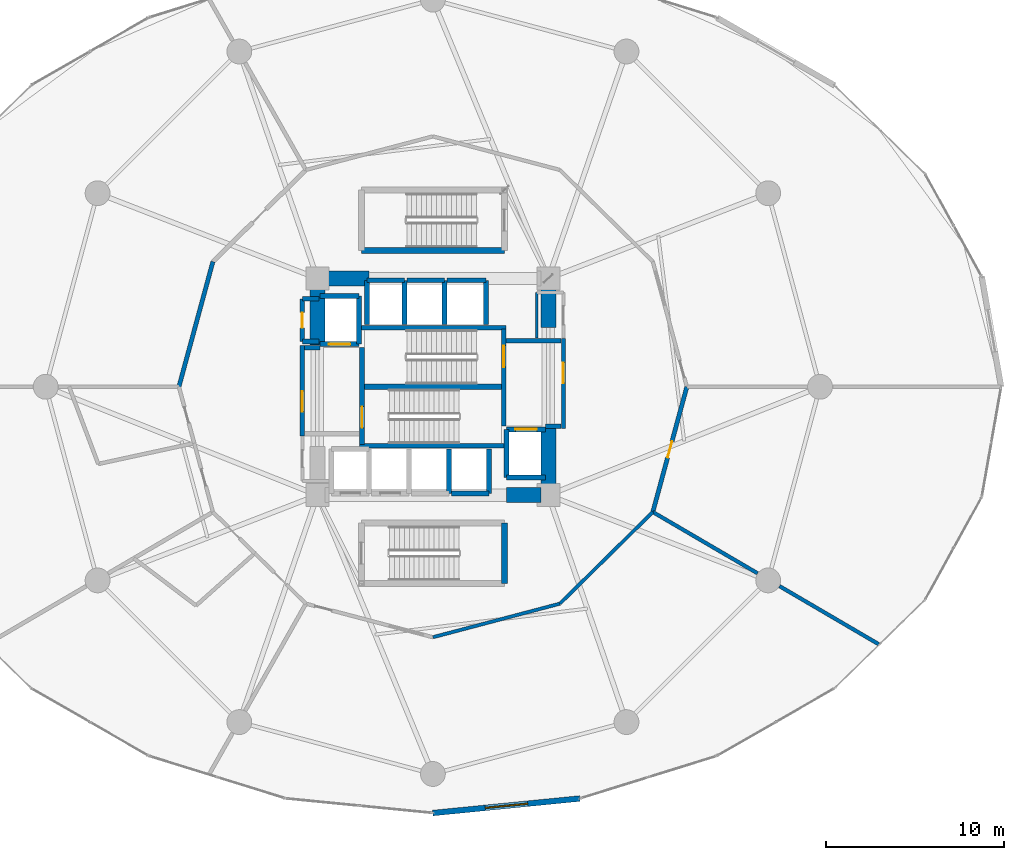
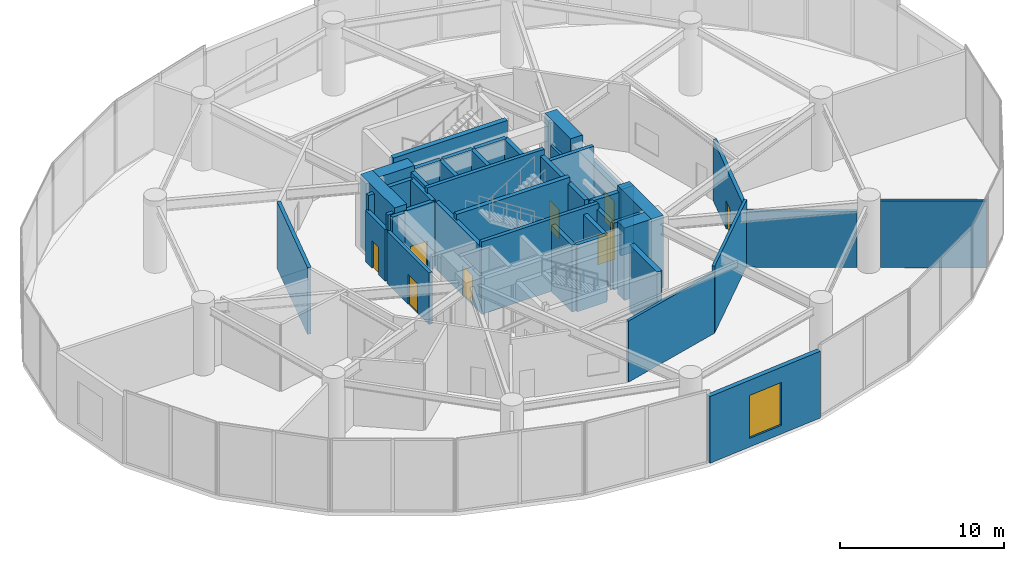
# One storey, part 24 of 29: 44 walls, 8 doors, 1 window, 9 openings.
"""IFC4 building model written with IfcOpenShell, lengths in metres."""

from ifc_helpers import new_model, si_unit, direction, frame, frame_2d, origin, place, context, subcontext, project, spatial, rectangle, extrude, material, layer, layer_set, type_object, element, fill, save


model = new_model("IFC4")

# Units and contexts
model_context = context("Model", 3, precision=1e-05, world=origin(), true_north=direction((0.0, 1.0)))
body_context = subcontext(model_context, "Body", "Model", "MODEL_VIEW")
ifc_project = project(units=[si_unit("LENGTHUNIT", "METRE"), si_unit("AREAUNIT", "SQUARE_METRE"), si_unit("VOLUMEUNIT", "CUBIC_METRE"), si_unit("PLANEANGLEUNIT", "RADIAN"), si_unit("MASSUNIT", "GRAM", prefix="KILO")], contexts=[model_context])

# Site, building, storey
site_placement = place(None, origin())
site = spatial("IfcSite", under=ifc_project, at=site_placement, CompositionType="ELEMENT")
building_placement = place(site_placement, origin())
building = spatial("IfcBuilding", under=site, at=building_placement, Name="Solvirekh Grand Hotel", CompositionType="ELEMENT")
storey_placement = place(building_placement, frame((0.0, 0.0, 7.199951171875)))
storey = spatial("IfcBuildingStorey", under=building, at=storey_placement, Name="L01", CompositionType="ELEMENT", Elevation=7.199951171875)

# Walls
ifc_material_1 = material(Name="Concrete C50/60", Category="concrete")
ifc_layer_1 = layer(ifc_material_1, 0.35009765625)
ifc_layer_set_1 = layer_set([ifc_layer_1], Name="Concrete C50/60")
wall_type_1 = type_object("IfcWallType", Name="CoreDivWall_RC350", PredefinedType="SOLIDWALL", material=ifc_layer_set_1)
for number, where, z_axis, x_axis, name in (
    (1, (-4.1298828125, -3.324951171875, 0.0), (0.0, 0.0, 1.0), (1.0, 0.0, 0.0), "L01 core stair box wall ST-S"),
    (2, (-4.1298828125, 3.324951171875, 0.0), (0.0, 0.0, 1.0), (1.0, 0.0, 0.0), "L01 core stair box wall ST-N"),
):
    element("IfcWall", number, at=place(storey_placement, frame(where, z_axis=z_axis, x_axis=x_axis)), inside=storey, type_object=wall_type_1, Name=name, PredefinedType="SOLIDWALL", context=body_context, shape_type="SweptSolid", body=[
        extrude(rectangle(XDim=8.259765625, YDim=0.25, at=frame_2d((4.1298828125, 0.0))), origin(), (0.0, 0.0, 1.0), 5.400146484375),
    ])
wall_1_placement = place(storey_placement, frame((4.02490234375, -11.074951171875, 0.0), z_axis=(0.0, 0.0, 1.0), x_axis=(0.0, 1.0, 0.0)))
element("IfcWall", 3, at=wall_1_placement, inside=storey, type_object=wall_type_1, Name="L01 podium stair ST-3 E enclosure wall", PredefinedType="SOLIDWALL", context=body_context, shape_type="SweptSolid", body=[
    extrude(rectangle(XDim=3.39990234375, YDim=0.35009765625, at=frame_2d((1.699951171875, 0.0))), origin(), (0.0, 0.0, 1.0), 4.97998046875),
])
wall_2_placement = place(storey_placement, frame((-4.02490234375, 7.675048828125, 0.0), z_axis=(0.0, 0.0, 1.0), x_axis=(1.0, 0.0, 0.0)))
element("IfcWall", 4, at=wall_2_placement, inside=storey, type_object=wall_type_1, Name="L01 feature stair ST-4 S enclosure wall", PredefinedType="SOLIDWALL", context=body_context, shape_type="SweptSolid", body=[
    extrude(rectangle(XDim=8.0498046875, YDim=0.35009765625, at=frame_2d((4.02490234375, 0.0))), origin(), (0.0, 0.0, 1.0), 4.97998046875),
])
ifc_material_2 = material(Name="Concrete C40/50", Category="concrete")
ifc_layer_2 = layer(ifc_material_2, 0.280029296875)
ifc_layer_set_2 = layer_set([ifc_layer_2], Name="Concrete C40/50")
wall_type_2 = type_object("IfcWallType", Name="CoreShaftWall_RC280", PredefinedType="SOLIDWALL", material=ifc_layer_set_2)
wall_3_placement = place(storey_placement, frame((0.89990234375, -6.0, 0.0), z_axis=(0.0, 0.0, 1.0), x_axis=(0.0, 1.0, 0.0)))
element("IfcWall", 5, at=wall_3_placement, inside=storey, type_object=wall_type_2, Name="L01 MP-1 hoistway E wall", PredefinedType="SOLIDWALL", context=body_context, shape_type="SweptSolid", body=[
    extrude(rectangle(XDim=2.5, YDim=0.280029296875, at=frame_2d((1.25, 0.0))), origin(), (0.0, 0.0, 1.0), 4.97998046875),
])
wall_4_placement = place(storey_placement, frame((1.050048828125, -6.0, 0.0), z_axis=(0.0, 0.0, 1.0), x_axis=(1.0, 0.0, 0.0)))
element("IfcWall", 6, at=wall_4_placement, inside=storey, type_object=wall_type_2, Name="L01 MP-2 hoistway S wall", PredefinedType="SOLIDWALL", context=body_context, shape_type="SweptSolid", body=[
    extrude(rectangle(XDim=2.099853515625, YDim=0.280029296875, at=frame_2d((1.0498046875, 0.0))), origin(), (0.0, 0.0, 1.0), 4.97998046875),
])
wall_5_placement = place(storey_placement, frame((3.14990234375, -6.0, 0.0), z_axis=(0.0, 0.0, 1.0), x_axis=(0.0, 1.0, 0.0)))
element("IfcWall", 7, at=wall_5_placement, inside=storey, type_object=wall_type_2, Name="L01 MP-2 hoistway E wall", PredefinedType="SOLIDWALL", context=body_context, shape_type="SweptSolid", body=[
    extrude(rectangle(XDim=2.5, YDim=0.280029296875, at=frame_2d((1.25, 0.0))), origin(), (0.0, 0.0, 1.0), 4.97998046875),
])
wall_6_placement = place(storey_placement, frame((-1.60009765625, 6.0, 0.0), z_axis=(0.0, 0.0, 1.0), x_axis=(-1.0, 0.0, 0.0)))
element("IfcWall", 8, at=wall_6_placement, inside=storey, type_object=wall_type_2, Name="L01 HP-1 hoistway N wall", PredefinedType="SOLIDWALL", context=body_context, shape_type="SweptSolid", body=[
    extrude(rectangle(XDim=2.099853515625, YDim=0.280029296875, at=frame_2d((1.0498046875, 0.0))), origin(), (0.0, 0.0, 1.0), 4.97998046875),
])
for number, where, z_axis, x_axis, name in (
    (9, (-3.699951171875, 6.0, 0.0), (0.0, 0.0, 1.0), (0.0, -1.0, 0.0), "L01 HP-1 hoistway W wall"),
    (10, (-1.60009765625, 3.5, 0.0), (0.0, 0.0, 1.0), (0.0, 1.0, 0.0), "L01 HP-1 hoistway E wall"),
):
    element("IfcWall", number, at=place(storey_placement, frame(where, z_axis=z_axis, x_axis=x_axis)), inside=storey, type_object=wall_type_2, Name=name, PredefinedType="SOLIDWALL", context=body_context, shape_type="SweptSolid", body=[
        extrude(rectangle(XDim=2.5, YDim=0.280029296875, at=frame_2d((1.25, 0.0))), origin(), (0.0, 0.0, 1.0), 4.97998046875),
    ])
wall_7_placement = place(storey_placement, frame((0.64990234375, 6.0, 0.0), z_axis=(0.0, 0.0, 1.0), x_axis=(-1.0, 0.0, 0.0)))
element("IfcWall", 11, at=wall_7_placement, inside=storey, type_object=wall_type_2, Name="L01 HP-2 hoistway N wall", PredefinedType="SOLIDWALL", context=body_context, shape_type="SweptSolid", body=[
    extrude(rectangle(XDim=2.099853515625, YDim=0.280029296875, at=frame_2d((1.0498046875, 0.0))), origin(), (0.0, 0.0, 1.0), 4.97998046875),
])
wall_8_placement = place(storey_placement, frame((0.64990234375, 3.5, 0.0), z_axis=(0.0, 0.0, 1.0), x_axis=(0.0, 1.0, 0.0)))
element("IfcWall", 12, at=wall_8_placement, inside=storey, type_object=wall_type_2, Name="L01 HP-2 hoistway E wall", PredefinedType="SOLIDWALL", context=body_context, shape_type="SweptSolid", body=[
    extrude(rectangle(XDim=2.5, YDim=0.280029296875, at=frame_2d((1.25, 0.0))), origin(), (0.0, 0.0, 1.0), 4.97998046875),
])
wall_9_placement = place(storey_placement, frame((3.0, 6.0, 0.0), z_axis=(0.0, 0.0, 1.0), x_axis=(-1.0, 0.0, 0.0)))
element("IfcWall", 13, at=wall_9_placement, inside=storey, type_object=wall_type_2, Name="L01 EX-1 hoistway N wall", PredefinedType="SOLIDWALL", context=body_context, shape_type="SweptSolid", body=[
    extrude(rectangle(XDim=2.199951171875, YDim=0.280029296875, at=frame_2d((1.10009765625, 0.0))), origin(), (0.0, 0.0, 1.0), 4.97998046875),
])
wall_10_placement = place(storey_placement, frame((3.0, 3.5, 0.0), z_axis=(0.0, 0.0, 1.0), x_axis=(0.0, 1.0, 0.0)))
element("IfcWall", 14, at=wall_10_placement, inside=storey, type_object=wall_type_2, Name="L01 EX-1 hoistway E wall", PredefinedType="SOLIDWALL", context=body_context, shape_type="SweptSolid", body=[
    extrude(rectangle(XDim=2.5, YDim=0.280029296875, at=frame_2d((1.25, 0.0))), origin(), (0.0, 0.0, 1.0), 4.97998046875),
])

# Wall, opening, door
wall_11_placement = place(storey_placement, frame((-6.35009765625, 2.39990234375, 0.0), z_axis=(0.0, 0.0, 1.0), x_axis=(1.0, 0.0, 0.0)))
wall_11 = element("IfcWall", 15, at=wall_11_placement, inside=storey, type_object=wall_type_2, Name="L01 FL-1 hoistway S wall", PredefinedType="SOLIDWALL", context=body_context, shape_type="SweptSolid", body=[
    extrude(rectangle(XDim=2.2001953125, YDim=0.280029296875, at=frame_2d((1.10009765625, 0.0))), origin(), (0.0, 0.0, 1.0), 4.97998046875),
])
opening_1_placement = place(wall_11_placement, frame((0.5, 0.0, 0.0)))
opening_1 = element("IfcOpeningElement", 16, at=opening_1_placement, cuts=wall_11, Name="Opening LD02", PredefinedType="OPENING", context=body_context, shape_type="SweptSolid", body=[
    extrude(rectangle(XDim=1.199951171875, YDim=2.199951171875, at=frame_2d((0.60009765625, 1.10009765625))), frame((0.0, 0.14990234375, 0.0), z_axis=(0.0, -1.0, 0.0), x_axis=(1.0, 0.0, 0.0)), (0.0, 0.0, 1.0), 0.300048828125),
])
ifc_material_3 = material(Name="Fire-Rated Steel Door Assembly", Category="steel")
door_type_1 = type_object("IfcDoorType", Name="Door_LiftFF_1200X2200", OperationType="SLIDING_TO_LEFT", PredefinedType="DOOR", material=ifc_material_3)
door_1_placement = place(opening_1_placement, origin())
door_1 = element("IfcDoor", 17, at=door_1_placement, inside=storey, type_object=door_type_1, Name="L01 FL-1 sliding lift landing door", OperationType="SLIDING_TO_LEFT", OverallHeight=2.199951171875, OverallWidth=1.199951171875, PredefinedType="DOOR", context=body_context, shape_type="SweptSolid", body=[
    extrude(rectangle(XDim=1.199951171875, YDim=2.199951171875, at=frame_2d((0.60009765625, 1.10009765625))), frame((0.0, 0.02490234375, 0.0), z_axis=(0.0, -1.0, 0.0), x_axis=(1.0, 0.0, 0.0)), (0.0, 0.0, 1.0), 0.050048828125),
])
fill(opening_1, door_1)

# Walls
wall_12_placement = place(storey_placement, frame((-4.14990234375, 5.10009765625, 0.0), z_axis=(0.0, 0.0, 1.0), x_axis=(-1.0, 0.0, 0.0)))
element("IfcWall", 18, at=wall_12_placement, inside=storey, type_object=wall_type_2, Name="L01 FL-1 hoistway N wall", PredefinedType="SOLIDWALL", context=body_context, shape_type="SweptSolid", body=[
    extrude(rectangle(XDim=2.2001953125, YDim=0.280029296875, at=frame_2d((1.10009765625, 0.0))), origin(), (0.0, 0.0, 1.0), 4.97998046875),
])
wall_13_placement = place(storey_placement, frame((-4.14990234375, 2.39990234375, 0.0), z_axis=(0.0, 0.0, 1.0), x_axis=(0.0, 1.0, 0.0)))
element("IfcWall", 19, at=wall_13_placement, inside=storey, type_object=wall_type_2, Name="L01 FL-1 hoistway E wall", PredefinedType="SOLIDWALL", context=body_context, shape_type="SweptSolid", body=[
    extrude(rectangle(XDim=2.7001953125, YDim=0.280029296875, at=frame_2d((1.35009765625, 0.0))), origin(), (0.0, 0.0, 1.0), 4.97998046875),
])
wall_14_placement = place(storey_placement, frame((4.14990234375, -5.10009765625, 0.0), z_axis=(0.0, 0.0, 1.0), x_axis=(1.0, 0.0, 0.0)))
element("IfcWall", 20, at=wall_14_placement, inside=storey, type_object=wall_type_2, Name="L01 FL-2 hoistway S wall", PredefinedType="SOLIDWALL", context=body_context, shape_type="SweptSolid", body=[
    extrude(rectangle(XDim=2.2001953125, YDim=0.280029296875, at=frame_2d((1.10009765625, 0.0))), origin(), (0.0, 0.0, 1.0), 4.97998046875),
])

# Wall, opening, door
wall_15_placement = place(storey_placement, frame((6.35009765625, -2.39990234375, 0.0), z_axis=(0.0, 0.0, 1.0), x_axis=(-1.0, 0.0, 0.0)))
wall_15 = element("IfcWall", 21, at=wall_15_placement, inside=storey, type_object=wall_type_2, Name="L01 FL-2 hoistway N wall", PredefinedType="SOLIDWALL", context=body_context, shape_type="SweptSolid", body=[
    extrude(rectangle(XDim=2.2001953125, YDim=0.280029296875, at=frame_2d((1.10009765625, 0.0))), origin(), (0.0, 0.0, 1.0), 4.97998046875),
])
opening_2_placement = place(wall_15_placement, frame((0.5, 0.0, 0.0)))
opening_2 = element("IfcOpeningElement", 22, at=opening_2_placement, cuts=wall_15, Name="Opening LD02", PredefinedType="OPENING", context=body_context, shape_type="SweptSolid", body=[
    extrude(rectangle(XDim=1.199951171875, YDim=2.199951171875, at=frame_2d((0.60009765625, 1.10009765625))), frame((0.0, 0.14990234375, 0.0), z_axis=(0.0, -1.0, 0.0), x_axis=(1.0, 0.0, 0.0)), (0.0, 0.0, 1.0), 0.300048828125),
])
door_2_placement = place(opening_2_placement, origin())
door_2 = element("IfcDoor", 23, at=door_2_placement, inside=storey, type_object=door_type_1, Name="L01 FL-2 sliding lift landing door", OperationType="SLIDING_TO_LEFT", OverallHeight=2.199951171875, OverallWidth=1.199951171875, PredefinedType="DOOR", context=body_context, shape_type="SweptSolid", body=[
    extrude(rectangle(XDim=1.199951171875, YDim=2.199951171875, at=frame_2d((0.60009765625, 1.10009765625))), frame((0.0, 0.02490234375, 0.0), z_axis=(0.0, -1.0, 0.0), x_axis=(1.0, 0.0, 0.0)), (0.0, 0.0, 1.0), 0.050048828125),
])
fill(opening_2, door_2)

# Wall
wall_16_placement = place(storey_placement, frame((4.14990234375, -2.39990234375, 0.0), z_axis=(0.0, 0.0, 1.0), x_axis=(0.0, -1.0, 0.0)))
element("IfcWall", 24, at=wall_16_placement, inside=storey, type_object=wall_type_2, Name="L01 FL-2 hoistway W wall", PredefinedType="SOLIDWALL", context=body_context, shape_type="SweptSolid", body=[
    extrude(rectangle(XDim=2.7001953125, YDim=0.280029296875, at=frame_2d((1.35009765625, 0.0))), origin(), (0.0, 0.0, 1.0), 4.97998046875),
])

# Wall, opening, door
wall_17_placement = place(storey_placement, frame((-3.989990234375, -3.25, 0.0), z_axis=(0.0, 0.0, 1.0), x_axis=(0.0, 1.0, 0.0)))
wall_17 = element("IfcWall", 25, at=wall_17_placement, inside=storey, type_object=wall_type_2, Name="L01 west stair landing enclosure wall", PredefinedType="SOLIDWALL", context=body_context, shape_type="SweptSolid", body=[
    extrude(rectangle(XDim=5.4599609375, YDim=0.280029296875, at=frame_2d((2.72998046875, 0.0))), origin(), (0.0, 0.0, 1.0), 4.97998046875),
])
opening_3_placement = place(wall_17_placement, frame((0.93701171875, 0.0, 0.0)))
opening_3 = element("IfcOpeningElement", 26, at=opening_3_placement, cuts=wall_17, Name="Opening D05", PredefinedType="OPENING", context=body_context, shape_type="SweptSolid", body=[
    extrude(rectangle(XDim=1.199951171875, YDim=2.199951171875, at=frame_2d((0.60009765625, 1.10009765625))), frame((0.0, 0.14990234375, 0.0), z_axis=(0.0, -1.0, 0.0), x_axis=(1.0, 0.0, 0.0)), (0.0, 0.0, 1.0), 0.300048828125),
])
door_type_2 = type_object("IfcDoorType", Name="Door_StairCore_1200X2200", OperationType="NOTDEFINED", PredefinedType="DOOR", material=ifc_material_3)
door_3_placement = place(opening_3_placement, origin())
door_3 = element("IfcDoor", 27, at=door_3_placement, inside=storey, type_object=door_type_2, Name="L01 exit stair ST-1 fire door", OperationType="SINGLE_SWING_LEFT", OverallHeight=2.199951171875, OverallWidth=1.199951171875, PredefinedType="DOOR", context=body_context, shape_type="SweptSolid", body=[
    extrude(rectangle(XDim=1.199951171875, YDim=2.199951171875, at=frame_2d((0.60009765625, 1.10009765625))), frame((0.0, 0.02490234375, 0.0), z_axis=(0.0, -1.0, 0.0), x_axis=(1.0, 0.0, 0.0)), (0.0, 0.0, 1.0), 0.050048828125),
])
fill(opening_3, door_3)

wall_18_placement = place(storey_placement, frame((3.989990234375, -2.2099609375, 0.0), z_axis=(0.0, 0.0, 1.0), x_axis=(0.0, 1.0, 0.0)))
wall_18 = element("IfcWall", 28, at=wall_18_placement, inside=storey, type_object=wall_type_2, Name="L01 east stair landing enclosure wall", PredefinedType="SOLIDWALL", context=body_context, shape_type="SweptSolid", body=[
    extrude(rectangle(XDim=5.4599609375, YDim=0.280029296875, at=frame_2d((2.72998046875, 0.0))), origin(), (0.0, 0.0, 1.0), 4.97998046875),
])
opening_4_placement = place(wall_18_placement, frame((3.322998046875, 0.0, 0.0)))
opening_4 = element("IfcOpeningElement", 29, at=opening_4_placement, cuts=wall_18, Name="Opening D05", PredefinedType="OPENING", context=body_context, shape_type="SweptSolid", body=[
    extrude(rectangle(XDim=1.199951171875, YDim=2.199951171875, at=frame_2d((0.60009765625, 1.10009765625))), frame((0.0, 0.14990234375, 0.0), z_axis=(0.0, -1.0, 0.0), x_axis=(1.0, 0.0, 0.0)), (0.0, 0.0, 1.0), 0.300048828125),
])
door_4_placement = place(opening_4_placement, origin())
door_4 = element("IfcDoor", 30, at=door_4_placement, inside=storey, type_object=door_type_2, Name="L01 exit stair ST-2 fire door", OperationType="SINGLE_SWING_RIGHT", OverallHeight=2.199951171875, OverallWidth=1.199951171875, PredefinedType="DOOR", context=body_context, shape_type="SweptSolid", body=[
    extrude(rectangle(XDim=1.199951171875, YDim=2.199951171875, at=frame_2d((0.60009765625, 1.10009765625))), frame((0.0, 0.02490234375, 0.0), z_axis=(0.0, -1.0, 0.0), x_axis=(1.0, 0.0, 0.0)), (0.0, 0.0, 1.0), 0.050048828125),
])
fill(opening_4, door_4)

# Walls
ifc_material_4 = material(Name="Concrete C60/75", Category="concrete")
ifc_layer_3 = layer(ifc_material_4, 0.85009765625)
ifc_layer_set_3 = layer_set([ifc_layer_3], Name="Concrete C60/75")
wall_type_3 = type_object("IfcWallType", Name="CoreWall_RC850", PredefinedType="SHEAR", material=ifc_layer_set_3)
wall_19_placement = place(storey_placement, frame((-3.989990234375, 0.0, 0.0), z_axis=(0.0, 0.0, 1.0), x_axis=(1.0, 0.0, 0.0)))
element("IfcWall", 31, at=wall_19_placement, inside=storey, type_object=wall_type_3, Name="L01 central stair-spine shear wall", PredefinedType="SHEAR", context=body_context, shape_type="SweptSolid", body=[
    extrude(rectangle(XDim=7.97998046875, YDim=0.300048828125, at=frame_2d((3.989990234375, 0.0))), origin(), (0.0, 0.0, 1.0), 5.400146484375),
])
wall_20_placement = place(storey_placement, frame((4.14990234375, -6.10009765625, 0.0), z_axis=(0.0, 0.0, 1.0), x_axis=(1.0, 0.0, 0.0)))
element("IfcWall", 32, at=wall_20_placement, inside=storey, type_object=wall_type_3, Name="L01 core corner shear wall SE-S", PredefinedType="SHEAR", context=body_context, shape_type="SweptSolid", body=[
    extrude(rectangle(XDim=1.925048828125, YDim=0.85009765625, at=frame_2d((0.96240234375, 0.0))), origin(), (0.0, 0.0, 1.0), 5.400146484375),
])
wall_21_placement = place(storey_placement, frame((-6.074951171875, 6.10009765625, 0.0), z_axis=(0.0, 0.0, 1.0), x_axis=(1.0, 0.0, 0.0)))
element("IfcWall", 33, at=wall_21_placement, inside=storey, type_object=wall_type_3, Name="L01 core corner shear wall NW-N", PredefinedType="SHEAR", context=body_context, shape_type="SweptSolid", body=[
    extrude(rectangle(XDim=2.474853515625, YDim=0.85009765625, at=frame_2d((1.2373046875, 0.0))), origin(), (0.0, 0.0, 1.0), 5.400146484375),
])
for number, where, z_axis, x_axis, name in (
    (34, (-6.5, 2.35009765625, 0.0), (0.0, 0.0, 1.0), (0.0, 1.0, 0.0), "L01 core corner shear wall WN-W"),
    (35, (6.5, -6.52490234375, 0.0), (0.0, 0.0, 1.0), (0.0, 1.0, 0.0), "L01 core corner shear wall ES-E"),
):
    element("IfcWall", number, at=place(storey_placement, frame(where, z_axis=z_axis, x_axis=x_axis)), inside=storey, type_object=wall_type_3, Name=name, PredefinedType="SHEAR", context=body_context, shape_type="SweptSolid", body=[
        extrude(rectangle(XDim=4.1748046875, YDim=0.85009765625, at=frame_2d((2.08740234375, 0.0))), origin(), (0.0, 0.0, 1.0), 5.400146484375),
    ])
wall_22_placement = place(storey_placement, frame((6.5, 3.35009765625, 0.0), z_axis=(0.0, 0.0, 1.0), x_axis=(0.0, 1.0, 0.0)))
element("IfcWall", 36, at=wall_22_placement, inside=storey, type_object=wall_type_3, Name="L01 core corner shear wall EN-E", PredefinedType="SHEAR", context=body_context, shape_type="SweptSolid", body=[
    extrude(rectangle(XDim=3.1748046875, YDim=0.85009765625, at=frame_2d((1.58740234375, 0.0))), origin(), (0.0, 0.0, 1.0), 5.400146484375),
])

# Wall, opening, window
ifc_material_5 = material(Name="Precast concrete C45/55", Category="concrete")
ifc_layer_4 = layer(ifc_material_5, 0.320068359375)
ifc_layer_set_4 = layer_set([ifc_layer_4], Name="Precast concrete C45/55")
wall_type_4 = type_object("IfcWallType", Name="ExtLobbyWall_RC320", PredefinedType="SOLIDWALL", material=ifc_layer_set_4)
wall_23_placement = place(storey_placement, frame((8.281982421875, -23.181884765625, 0.0), z_axis=(0.0, 0.0, 1.0), x_axis=(-0.995156424186, -0.098304076215, 0.0)))
wall_23 = element("IfcWall", 37, at=wall_23_placement, inside=storey, type_object=wall_type_4, Name="L01 exterior structural wall chord 19", PredefinedType="SOLIDWALL", context=body_context, shape_type="SweptSolid", body=[
    extrude(rectangle(XDim=8.322265625, YDim=0.320068359375, at=frame_2d((4.1611328125, 0.0))), origin(), (0.0, 0.0, 1.0), 4.97998046875),
])
opening_5_placement = place(wall_23_placement, frame((2.9609375, 0.0, 0.64990234375)))
opening_5 = element("IfcOpeningElement", 38, at=opening_5_placement, cuts=wall_23, Name="Opening W01", PredefinedType="OPENING", context=body_context, shape_type="SweptSolid", body=[
    extrude(rectangle(XDim=2.39990234375, YDim=3.199951171875, at=frame_2d((1.199951171875, 1.60009765625))), frame((0.0, 0.169921875, 0.0), z_axis=(0.0, -1.0, 0.0), x_axis=(1.0, 0.0, 0.0)), (0.0, 0.0, 1.0), 0.340087890625),
])
ifc_material_6 = material(Name="Low-E Tinted Bronze Laminated Glass", Category="aluminium")
window_type = type_object("IfcWindowType", Name="Win_LobbyExt_2400X3200", PartitioningType="SINGLE_PANEL", PredefinedType="WINDOW", material=ifc_material_6)
window_placement = place(opening_5_placement, origin())
window = element("IfcWindow", 39, at=window_placement, inside=storey, type_object=window_type, Name="L01 panoramic bronze-framed window 19", OverallHeight=3.199951171875, OverallWidth=2.39990234375, PartitioningType="SINGLE_PANEL", PredefinedType="WINDOW", context=body_context, shape_type="SweptSolid", body=[
    extrude(rectangle(XDim=2.39990234375, YDim=3.199951171875, at=frame_2d((1.199951171875, 1.60009765625))), frame((0.0, 0.030029296875, 0.0), z_axis=(0.0, -1.0, 0.0), x_axis=(1.0, 0.0, 0.0)), (0.0, 0.0, 1.0), 0.06005859375),
])
fill(opening_5, window)

# Wall
ifc_material_7 = material(Name="Acoustic Gypsum Partition Assembly")
ifc_layer_5 = layer(ifc_material_7, 0.1650390625)
ifc_layer_set_5 = layer_set([ifc_layer_5], Name="Acoustic Gypsum Partition Assembly")
wall_type_5 = type_object("IfcWallType", Name="Part_BOH_165", PredefinedType="PARTITIONING", material=ifc_layer_set_5)
wall_24_placement = place(storey_placement, frame((5.85009765625, 5.300048828125, 0.0), z_axis=(0.0, 0.0, 1.0), x_axis=(0.0, -1.0, 0.0)))
element("IfcWall", 40, at=wall_24_placement, inside=storey, type_object=wall_type_5, Name="L01 L01 Telecom Distribution Room wall 4", PredefinedType="PARTITIONING", context=body_context, shape_type="SweptSolid", body=[
    extrude(rectangle(XDim=2.550048828125, YDim=0.1650390625, at=frame_2d((1.27490234375, 0.0))), origin(), (0.0, 0.0, 1.0), 3.864990234375),
])

# Wall, opening, door
ifc_layer_6 = layer(ifc_material_7, 0.239990234375)
ifc_layer_set_6 = layer_set([ifc_layer_6], Name="Acoustic Gypsum Partition Assembly")
wall_type_6 = type_object("IfcWallType", Name="Part_Corridor_240", PredefinedType="PARTITIONING", material=ifc_layer_set_6)
wall_25_placement = place(storey_placement, frame((-7.35009765625, -2.780029296875, 0.0), z_axis=(0.0, 0.0, 1.0), x_axis=(0.0, 1.0, 0.0)))
wall_25 = element("IfcWall", 41, at=wall_25_placement, inside=storey, type_object=wall_type_6, Name="L01 west firefighting lobby smoke screen wall", PredefinedType="PARTITIONING", context=body_context, shape_type="SweptSolid", body=[
    extrude(rectangle(XDim=5.1201171875, YDim=0.239990234375, at=frame_2d((2.56005859375, 0.0))), origin(), (0.0, 0.0, 1.0), 3.864990234375),
])
opening_6_placement = place(wall_25_placement, frame((1.388916015625, 0.0, 0.0)))
opening_6 = element("IfcOpeningElement", 42, at=opening_6_placement, cuts=wall_25, Name="Opening D06", PredefinedType="OPENING", context=body_context, shape_type="SweptSolid", body=[
    extrude(rectangle(XDim=1.14990234375, YDim=2.199951171875, at=frame_2d((0.574951171875, 1.10009765625))), frame((0.0, 0.1298828125, 0.0), z_axis=(0.0, -1.0, 0.0), x_axis=(1.0, 0.0, 0.0)), (0.0, 0.0, 1.0), 0.260009765625),
])
door_type_3 = type_object("IfcDoorType", Name="Door_FFLobby_1150X2200", OperationType="NOTDEFINED", PredefinedType="DOOR", material=ifc_material_3)
door_5_placement = place(opening_6_placement, origin())
door_5 = element("IfcDoor", 43, at=door_5_placement, inside=storey, type_object=door_type_3, Name="L01 west firefighting lobby smoke door", OperationType="SINGLE_SWING_LEFT", OverallHeight=2.199951171875, OverallWidth=1.14990234375, PredefinedType="DOOR", context=body_context, shape_type="SweptSolid", body=[
    extrude(rectangle(XDim=1.14990234375, YDim=2.199951171875, at=frame_2d((0.574951171875, 1.10009765625))), frame((0.0, 0.02490234375, 0.0), z_axis=(0.0, -1.0, 0.0), x_axis=(1.0, 0.0, 0.0)), (0.0, 0.0, 1.0), 0.050048828125),
])
fill(opening_6, door_5)

wall_26_placement = place(storey_placement, frame((7.35009765625, -2.340087890625, 0.0), z_axis=(0.0, 0.0, 1.0), x_axis=(0.0, 1.0, 0.0)))
wall_26 = element("IfcWall", 44, at=wall_26_placement, inside=storey, type_object=wall_type_6, Name="L01 east firefighting lobby smoke screen wall", PredefinedType="PARTITIONING", context=body_context, shape_type="SweptSolid", body=[
    extrude(rectangle(XDim=5.070068359375, YDim=0.239990234375, at=frame_2d((2.53515625, 0.0))), origin(), (0.0, 0.0, 1.0), 3.864990234375),
])
opening_7_placement = place(wall_26_placement, frame((2.548095703125, 0.0, 0.0)))
opening_7 = element("IfcOpeningElement", 45, at=opening_7_placement, cuts=wall_26, Name="Opening D06", PredefinedType="OPENING", context=body_context, shape_type="SweptSolid", body=[
    extrude(rectangle(XDim=1.14990234375, YDim=2.199951171875, at=frame_2d((0.574951171875, 1.10009765625))), frame((0.0, 0.1298828125, 0.0), z_axis=(0.0, -1.0, 0.0), x_axis=(1.0, 0.0, 0.0)), (0.0, 0.0, 1.0), 0.260009765625),
])
door_6_placement = place(opening_7_placement, origin())
door_6 = element("IfcDoor", 46, at=door_6_placement, inside=storey, type_object=door_type_3, Name="L01 east firefighting lobby smoke door", OperationType="SINGLE_SWING_RIGHT", OverallHeight=2.199951171875, OverallWidth=1.14990234375, PredefinedType="DOOR", context=body_context, shape_type="SweptSolid", body=[
    extrude(rectangle(XDim=1.14990234375, YDim=2.199951171875, at=frame_2d((0.574951171875, 1.10009765625))), frame((0.0, 0.02490234375, 0.0), z_axis=(0.0, -1.0, 0.0), x_axis=(1.0, 0.0, 0.0)), (0.0, 0.0, 1.0), 0.050048828125),
])
fill(opening_7, door_6)

# Wall
wall_27_placement = place(storey_placement, frame((-12.384033203125, 7.050048828125, 0.0), z_axis=(0.0, 0.0, 1.0), x_axis=(-0.262260528785, -0.964997106235, 0.0)))
element("IfcWall", 47, at=wall_27_placement, inside=storey, type_object=wall_type_6, Name="L01 Main Show Kitchen & Pastry Pantry corridor wall 2", PredefinedType="PARTITIONING", context=body_context, shape_type="SweptSolid", body=[
    extrude(rectangle(XDim=7.3056640625, YDim=0.239990234375, at=frame_2d((3.65283203125, 0.0))), origin(), (0.0, 0.0, 1.0), 4.97998046875),
])

# Wall, opening, door
wall_28_placement = place(storey_placement, frame((12.384033203125, -7.050048828125, 0.0), z_axis=(0.0, 0.0, 1.0), x_axis=(0.262260528785, 0.964997106235, 0.0)))
wall_28 = element("IfcWall", 48, at=wall_28_placement, inside=storey, type_object=wall_type_6, Name="L01 Podium Housekeeping & Linen Store corridor wall", PredefinedType="PARTITIONING", context=body_context, shape_type="SweptSolid", body=[
    extrude(rectangle(XDim=7.3056640625, YDim=0.239990234375, at=frame_2d((3.65283203125, 0.0))), origin(), (0.0, 0.0, 1.0), 4.55810546875),
])
opening_8_placement = place(wall_28_placement, frame((3.177978515625, 0.0, 0.0)))
opening_8 = element("IfcOpeningElement", 49, at=opening_8_placement, cuts=wall_28, Name="Opening D10", PredefinedType="OPENING", context=body_context, shape_type="SweptSolid", body=[
    extrude(rectangle(XDim=0.949951171875, YDim=2.10009765625, at=frame_2d((0.47509765625, 1.050048828125))), frame((0.0, 0.1298828125, 0.0), z_axis=(0.0, -1.0, 0.0), x_axis=(1.0, 0.0, 0.0)), (0.0, 0.0, 1.0), 0.260009765625),
])
ifc_material_8 = material(Name="Anodized Bronze Aluminium 6063-T6", Category="aluminium")
door_type_4 = type_object("IfcDoorType", Name="Door_RoomInt_950X2100", OperationType="NOTDEFINED", PredefinedType="DOOR", material=ifc_material_8)
door_7_placement = place(opening_8_placement, origin())
door_7 = element("IfcDoor", 50, at=door_7_placement, inside=storey, type_object=door_type_4, Name="L01 Podium Housekeeping & Linen Store entrance door", OperationType="SINGLE_SWING_LEFT", OverallHeight=2.10009765625, OverallWidth=0.949951171875, PredefinedType="DOOR", context=body_context, shape_type="SweptSolid", body=[
    extrude(rectangle(XDim=0.949951171875, YDim=2.10009765625, at=frame_2d((0.47509765625, 1.050048828125))), frame((0.0, 0.02490234375, 0.0), z_axis=(0.0, -1.0, 0.0), x_axis=(1.0, 0.0, 0.0)), (0.0, 0.0, 1.0), 0.050048828125),
])
fill(opening_8, door_7)

# Walls
ifc_layer_7 = layer(ifc_material_7, 0.18994140625)
ifc_layer_set_7 = layer_set([ifc_layer_7], Name="Acoustic Gypsum Partition Assembly")
wall_type_7 = type_object("IfcWallType", Name="Part_GuestDemise_190", PredefinedType="PARTITIONING", material=ifc_layer_set_7)
wall_29_placement = place(storey_placement, frame((0.0, -14.10009765625, 0.0), z_axis=(0.0, 0.0, 1.0), x_axis=(0.966820901533, 0.255455170937, 0.0)))
element("IfcWall", 51, at=wall_29_placement, inside=storey, type_object=wall_type_7, Name="L01 Specialty Russian Fine-Dining Restaurant corridor wall 2", PredefinedType="PARTITIONING", context=body_context, shape_type="SweptSolid", body=[
    extrude(rectangle(XDim=7.395263671875, YDim=0.18994140625, at=frame_2d((3.69775390625, 0.0))), origin(), (0.0, 0.0, 1.0), 4.55810546875),
])
wall_30_placement = place(storey_placement, frame((7.14990234375, -12.2109375, 0.0), z_axis=(0.0, 0.0, 1.0), x_axis=(0.712071304345, 0.702107155303, 0.0)))
element("IfcWall", 52, at=wall_30_placement, inside=storey, type_object=wall_type_7, Name="L01 Specialty Russian Fine-Dining Restaurant corridor wall 3", PredefinedType="PARTITIONING", context=body_context, shape_type="SweptSolid", body=[
    extrude(rectangle(XDim=7.3505859375, YDim=0.18994140625, at=frame_2d((3.67529296875, 0.0))), origin(), (0.0, 0.0, 1.0), 4.97998046875),
])
ifc_layer_8 = layer(ifc_material_7, 0.260009765625)
ifc_layer_set_8 = layer_set([ifc_layer_8], Name="Acoustic Gypsum Partition Assembly")
wall_type_8 = type_object("IfcWallType", Name="Part_LobbyFF_260", PredefinedType="PARTITIONING", material=ifc_layer_set_8)
for number, where, z_axis, x_axis, name in (
    (53, (-7.22509765625, 2.2099609375, 0.0), (0.0, 0.0, 1.0), (1.0, 0.0, 0.0), "L01 west firefighting lobby NW cheek"),
    (54, (6.35009765625, -2.2099609375, 0.0), (0.0, 0.0, 1.0), (1.0, 0.0, 0.0), "L01 east firefighting lobby SE cheek"),
):
    element("IfcWall", number, at=place(storey_placement, frame(where, z_axis=z_axis, x_axis=x_axis)), inside=storey, type_object=wall_type_8, Name=name, PredefinedType="PARTITIONING", context=body_context, shape_type="SweptSolid", body=[
        extrude(rectangle(XDim=0.875, YDim=0.260009765625, at=frame_2d((0.4375, 0.0))), origin(), (0.0, 0.0, 1.0), 4.97998046875),
    ])
wall_31_placement = place(storey_placement, frame((4.1298828125, 2.60009765625, 0.0), z_axis=(0.0, 0.0, 1.0), x_axis=(1.0, 0.0, 0.0)))
element("IfcWall", 55, at=wall_31_placement, inside=storey, type_object=wall_type_8, Name="L01 east firefighting lobby north partition", PredefinedType="PARTITIONING", context=body_context, shape_type="SweptSolid", body=[
    extrude(rectangle(XDim=3.09521484375, YDim=0.260009765625, at=frame_2d((1.547607421875, 0.0))), origin(), (0.0, 0.0, 1.0), 4.97998046875),
])
for number, where, z_axis, x_axis, name in (
    (56, (-7.35009765625, 4.949951171875, 0.0), (0.0, 0.0, 1.0), (1.0, 0.0, 0.0), "L01 NW telecom metering cupboard north wall"),
    (57, (-7.35009765625, 2.550048828125, 0.0), (0.0, 0.0, 1.0), (1.0, 0.0, 0.0), "L01 NW telecom metering cupboard south wall"),
):
    element("IfcWall", number, at=place(storey_placement, frame(where, z_axis=z_axis, x_axis=x_axis)), inside=storey, type_object=wall_type_8, Name=name, PredefinedType="PARTITIONING", context=body_context, shape_type="SweptSolid", body=[
        extrude(rectangle(XDim=0.93017578125, YDim=0.260009765625, at=frame_2d((0.465087890625, 0.0))), origin(), (0.0, 0.0, 1.0), 4.97998046875),
    ])

# Wall, opening, door
wall_32_placement = place(storey_placement, frame((-7.35009765625, 2.550048828125, 0.0), z_axis=(0.0, 0.0, 1.0), x_axis=(0.0, 1.0, 0.0)))
wall_32 = element("IfcWall", 58, at=wall_32_placement, inside=storey, type_object=wall_type_8, Name="L01 NW telecom metering cupboard access wall", PredefinedType="PARTITIONING", context=body_context, shape_type="SweptSolid", body=[
    extrude(rectangle(XDim=2.39990234375, YDim=0.260009765625, at=frame_2d((1.199951171875, 0.0))), origin(), (0.0, 0.0, 1.0), 3.864990234375),
])
opening_9_placement = place(wall_32_placement, frame((0.77490234375, 0.0, 0.0)))
opening_9 = element("IfcOpeningElement", 59, at=opening_9_placement, cuts=wall_32, Name="Opening D13", PredefinedType="OPENING", context=body_context, shape_type="SweptSolid", body=[
    extrude(rectangle(XDim=0.85009765625, YDim=2.050048828125, at=frame_2d((0.425048828125, 1.02490234375))), frame((0.0, 0.14013671875, 0.0), z_axis=(0.0, -1.0, 0.0), x_axis=(1.0, 0.0, 0.0)), (0.0, 0.0, 1.0), 0.280029296875),
])
door_type_5 = type_object("IfcDoorType", Name="Door_RiserShaft_850X2050", OperationType="NOTDEFINED", PredefinedType="DOOR", material=ifc_material_3)
door_8_placement = place(opening_9_placement, origin())
door_8 = element("IfcDoor", 60, at=door_8_placement, inside=storey, type_object=door_type_5, Name="L01 telecom metering cupboard access door", OperationType="SINGLE_SWING_LEFT", OverallHeight=2.050048828125, OverallWidth=0.85009765625, PredefinedType="DOOR", context=body_context, shape_type="SweptSolid", body=[
    extrude(rectangle(XDim=0.85009765625, YDim=2.050048828125, at=frame_2d((0.425048828125, 1.02490234375))), frame((0.0, 0.02490234375, 0.0), z_axis=(0.0, -1.0, 0.0), x_axis=(1.0, 0.0, 0.0)), (0.0, 0.0, 1.0), 0.050048828125),
])
fill(opening_9, door_8)

# Walls
ifc_layer_9 = layer(ifc_material_7, 0.2099609375)
ifc_layer_set_9 = layer_set([ifc_layer_9], Name="Acoustic Gypsum Partition Assembly")
wall_type_9 = type_object("IfcWallType", Name="Part_SuiteDemise_210", PredefinedType="PARTITIONING", material=ifc_layer_set_9)
wall_33_placement = place(storey_placement, frame((12.384033203125, -7.050048828125, 0.0), z_axis=(0.0, 0.0, 1.0), x_axis=(0.863101484719, -0.505030520934, 0.0)))
element("IfcWall", 61, at=wall_33_placement, inside=storey, type_object=wall_type_9, Name="L01 radial demising wall 12 (A)", PredefinedType="PARTITIONING", context=body_context, shape_type="SweptSolid", body=[
    extrude(rectangle(XDim=6.8310546875, YDim=0.2099609375, at=frame_2d((3.41552734375, 0.0))), origin(), (0.0, 0.0, 1.0), 4.191162109375),
])
wall_34_placement = place(storey_placement, frame((19.52099609375, -11.22607421875, 0.0), z_axis=(0.0, 0.0, 1.0), x_axis=(0.863028108689, -0.505155900304, 0.0)))
element("IfcWall", 62, at=wall_34_placement, inside=storey, type_object=wall_type_9, Name="L01 radial demising wall 12 (B)", PredefinedType="PARTITIONING", context=body_context, shape_type="SweptSolid", body=[
    extrude(rectangle(XDim=6.471435546875, YDim=0.2099609375, at=frame_2d((3.23583984375, 0.0))), origin(), (0.0, 0.0, 1.0), 4.97998046875),
])

save(model, "model.ifc")
